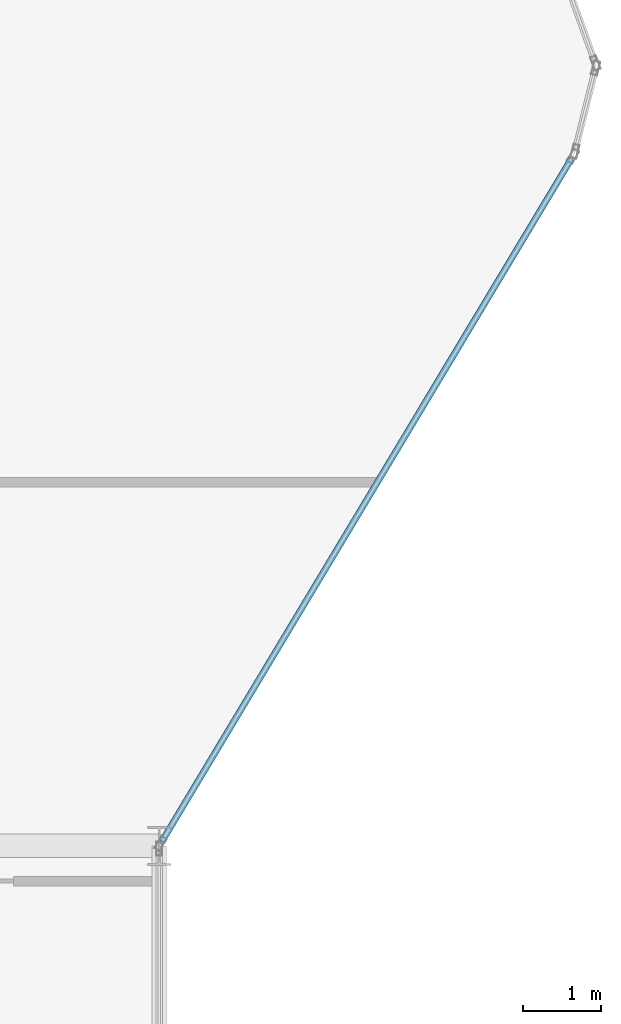
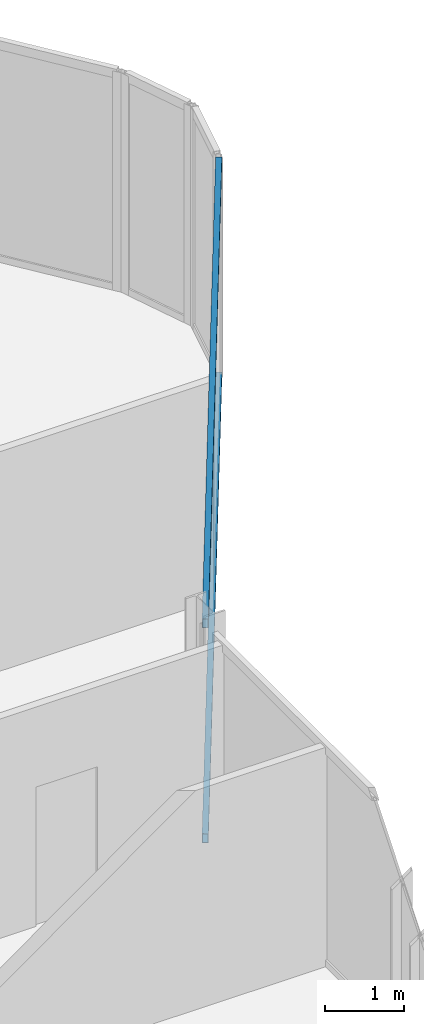
# One storey, part 14 of 31: 2 members, 1 element without a shape of its own.
"""IFC4 building model written with IfcOpenShell, lengths in metres."""

from ifc_helpers import new_model, si_unit, direction, frame, origin, origin_2d, place, context, subcontext, project, spatial, hollow_rectangle, extrude, material, layer, layer_set, material_profile, profile_set, type_object, element, aggregate, save


model = new_model("IFC4")

# Units and contexts
model_context = context("Model", 3, precision=1e-05, world=origin(), true_north=direction((0.0, 1.0)))
body_context = subcontext(model_context, "Body", "Model", "MODEL_VIEW")
ifc_project = project(units=[si_unit("LENGTHUNIT", "METRE"), si_unit("AREAUNIT", "SQUARE_METRE"), si_unit("VOLUMEUNIT", "CUBIC_METRE"), si_unit("PLANEANGLEUNIT", "RADIAN"), si_unit("MASSUNIT", "GRAM", prefix="KILO")], contexts=[model_context])

# Site, building, storey
site_placement = place(None, origin())
site = spatial("IfcSite", under=ifc_project, at=site_placement, CompositionType="ELEMENT")
building_placement = place(site_placement, origin())
building = spatial("IfcBuilding", under=site, at=building_placement, Name="Keshet Zoharim Tower", CompositionType="ELEMENT")
storey_placement = place(building_placement, frame((0.0, 0.0, 144.60009765625)))
storey = spatial("IfcBuildingStorey", under=building, at=storey_placement, Name="L35", CompositionType="ELEMENT", Elevation=144.60009765625)

# Curtain wall, members
ifc_material = material(Name="Aluminium 6063-T6", Category="aluminium")
ifc_layer = layer(ifc_material, 0.159912109375)
ifc_layer_set = layer_set([ifc_layer], Name="Aluminium 6063-T6")
curtain_wall_type = type_object("IfcCurtainWallType", Name="CW-SYS-03", PredefinedType="NOTDEFINED", material=ifc_layer_set)
curtain_wall_placement = place(storey_placement, origin())
curtain_wall = element("IfcCurtainWall", 1, at=curtain_wall_placement, inside=storey, type_object=curtain_wall_type, Name="L35 Unitised Curtain Wall 18", PredefinedType="NOTDEFINED")
ifc_material_profile = material_profile(ifc_material, hollow_rectangle(XDim=0.080078125, YDim=0.139892578125, WallThickness=0.00390625, at=origin_2d()), Name="TRN-80x140")
ifc_profile_set = profile_set([ifc_material_profile], Name="Aluminium 6063-T6")
member_type = type_object("IfcMemberType", Name="CWT-T14", PredefinedType="USERDEFINED", material=ifc_profile_set)
member_1_placement = place(storey_placement, frame((62.27197265625, 36.68701171875, 0.034912109375), z_axis=(-0.514467532827, -0.857509858641, 0.0), x_axis=(0.857509858641, -0.514467532827, 0.0)))
member_1 = element("IfcMember", 2, at=member_1_placement, type_object=member_type, Name="CW-03 transom 1.1", ObjectType="TRANSOM", PredefinedType="USERDEFINED", context=body_context, shape_type="SweptSolid", body=[
    extrude(hollow_rectangle(XDim=0.080078125, YDim=0.139892578125, WallThickness=0.00390625, at=origin_2d()), origin(), (0.0, 0.0, 1.0), 10.17724609375),
])
member_2_placement = place(storey_placement, frame((62.27197265625, 36.68701171875, 3.349853515625), z_axis=(-0.514467532827, -0.857509858641, 0.0), x_axis=(0.857509858641, -0.514467532827, 0.0)))
member_2 = element("IfcMember", 3, at=member_2_placement, type_object=member_type, Name="CW-03 transom 1.2", ObjectType="TRANSOM", PredefinedType="USERDEFINED", context=body_context, shape_type="SweptSolid", body=[
    extrude(hollow_rectangle(XDim=0.080078125, YDim=0.139892578125, WallThickness=0.00390625, at=origin_2d()), origin(), (0.0, 0.0, 1.0), 10.17724609375),
])
aggregate(curtain_wall, [member_1, member_2])

save(model, "model.ifc")
